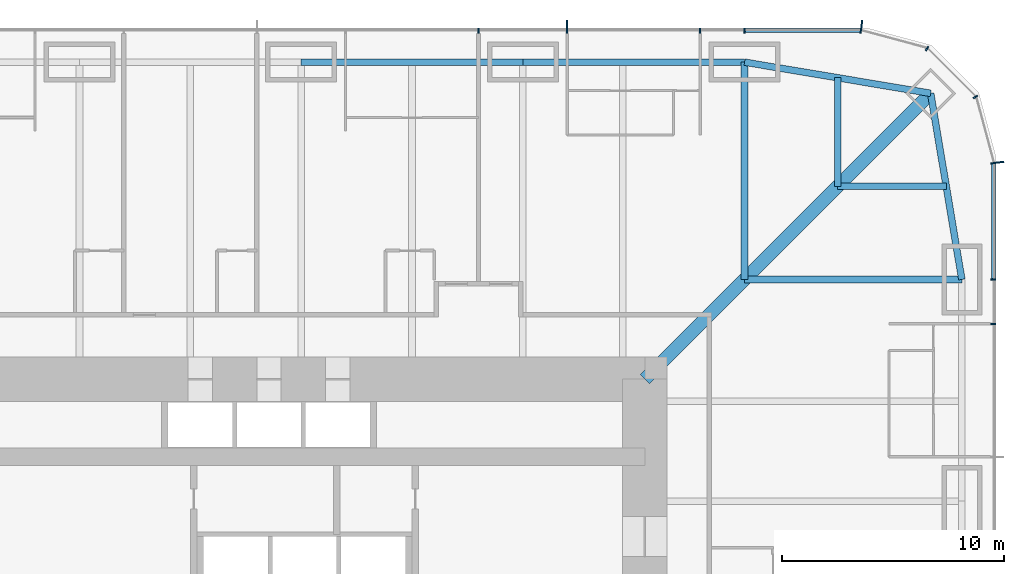
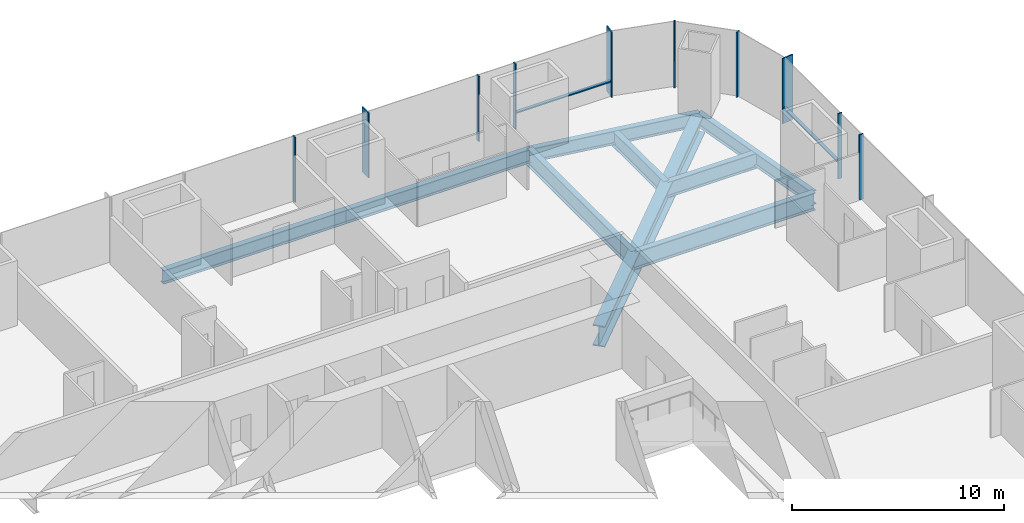
# One storey, part 9 of 16: 12 members, 9 beams, 3 elements without a shape of their own.
"""IFC4 building model written with IfcOpenShell, lengths in metres."""

from ifc_helpers import new_model, si_unit, direction, frame, origin, origin_2d, place, context, subcontext, project, spatial, rectangle, i_section, extrude, material, material_profile, profile_set, type_object, element, aggregate, save


model = new_model("IFC4")

# Units and contexts
model_context = context("Model", 3, precision=1e-05, world=origin(), true_north=direction((0.0, 1.0)))
body_context = subcontext(model_context, "Body", "Model", "MODEL_VIEW")
ifc_project = project(units=[si_unit("LENGTHUNIT", "METRE"), si_unit("AREAUNIT", "SQUARE_METRE"), si_unit("VOLUMEUNIT", "CUBIC_METRE"), si_unit("PLANEANGLEUNIT", "RADIAN"), si_unit("MASSUNIT", "GRAM", prefix="KILO")], contexts=[model_context])

# Site, building, storey
site_placement = place(None, origin())
site = spatial("IfcSite", under=ifc_project, at=site_placement, CompositionType="ELEMENT")
building_placement = place(site_placement, origin())
building = spatial("IfcBuilding", under=site, at=building_placement, Name="Khuree Lantern Residences", CompositionType="ELEMENT")
storey_placement = place(building_placement, frame((0.0, 0.0, 66.0)))
storey = spatial("IfcBuildingStorey", under=building, at=storey_placement, Name="L16", CompositionType="ELEMENT", Elevation=66.0)

# Beams
ifc_material_1 = material(Name="Steel S355", Category="steel")
ifc_material_profile_1 = material_profile(ifc_material_1, i_section(OverallWidth=0.300048828125, OverallDepth=0.889892578125, WebThickness=0.01611328125, FlangeThickness=0.030029296875, FilletRadius=0.030029296875, at=origin_2d()), Name="HE 900 A")
ifc_profile_set_1 = profile_set([ifc_material_profile_1], Name="Steel S355")
beam_type_1 = type_object("IfcBeamType", Name="B-14 SECONDARY BEAM HE 900 A", PredefinedType="BEAM", material=ifc_profile_set_1)
for number, where, z_axis, x_axis, name in (
    (1, (24.197021484375, 29.09716796875, -0.695068359375), (0.0, -1.0, 0.0), (1.0, 0.0, 0.0), "Secondary beam N5"),
    (2, (29.09716796875, 24.197021484375, -0.695068359375), (-1.0, 0.0, 0.0), (0.0, -1.0, 0.0), "Secondary beam E1"),
):
    element("IfcBeam", number, at=place(storey_placement, frame(where, z_axis=z_axis, x_axis=x_axis)), inside=storey, type_object=beam_type_1, Name=name, PredefinedType="BEAM", context=body_context, shape_type="SweptSolid", body=[
        extrude(i_section(OverallWidth=0.300048828125, OverallDepth=0.889892578125, WebThickness=0.01611328125, FlangeThickness=0.030029296875, FilletRadius=0.030029296875, at=origin_2d()), origin(), (0.0, 0.0, 1.0), 4.900146484375),
    ])
ifc_material_profile_2 = material_profile(ifc_material_1, i_section(OverallWidth=0.300048828125, OverallDepth=0.7900390625, WebThickness=0.014892578125, FlangeThickness=0.028076171875, FilletRadius=0.030029296875, at=origin_2d()), Name="HE 800 A")
ifc_profile_set_2 = profile_set([ifc_material_profile_2], Name="Steel S355")
beam_type_2 = type_object("IfcBeamType", Name="E-14 SPANDREL BEAM HE 800 A", PredefinedType="SPANDREL", material=ifc_profile_set_2)
for number, where, z_axis, x_axis, name in (
    (3, (0.0, 29.800048828125, -0.64501953125), (1.0, 0.0, 0.0), (0.0, 1.0, 0.0), "Spandrel beam N3"),
    (4, (10.0, 29.800048828125, -0.64501953125), (1.0, 0.0, 0.0), (0.0, 1.0, 0.0), "Spandrel beam N4"),
):
    element("IfcBeam", number, at=place(storey_placement, frame(where, z_axis=z_axis, x_axis=x_axis)), inside=storey, type_object=beam_type_2, Name=name, PredefinedType="SPANDREL", context=body_context, shape_type="SweptSolid", body=[
        extrude(i_section(OverallWidth=0.300048828125, OverallDepth=0.7900390625, WebThickness=0.014892578125, FlangeThickness=0.028076171875, FilletRadius=0.030029296875, at=origin_2d()), origin(), (0.0, 0.0, 1.0), 10.0),
    ])
for number, where, z_axis, x_axis, name in (
    (5, (20.0, 29.800048828125, -0.64501953125), (0.986260251158, -0.165199022349, 0.0), (0.165199022349, 0.986260251158, 0.0), "Spandrel beam N5"),
    (6, (28.39404296875, 28.39404296875, -0.64501953125), (0.165199022349, -0.986260251158, 0.0), (0.986260251158, 0.165199022349, 0.0), "Spandrel beam E1"),
):
    element("IfcBeam", number, at=place(storey_placement, frame(where, z_axis=z_axis, x_axis=x_axis)), inside=storey, type_object=beam_type_2, Name=name, PredefinedType="SPANDREL", context=body_context, shape_type="SweptSolid", body=[
        extrude(i_section(OverallWidth=0.300048828125, OverallDepth=0.7900390625, WebThickness=0.014892578125, FlangeThickness=0.028076171875, FilletRadius=0.030029296875, at=origin_2d()), origin(), (0.0, 0.0, 1.0), 8.510986328125),
    ])

# Curtain wall, member
ifc_material_2 = material(Name="Bronze anodised aluminium", Category="aluminium")
curtain_wall_type_1 = type_object("IfcCurtainWallType", Name="CW-T2 TOWER CORNER CURTAIN WALL", PredefinedType="USERDEFINED", material=ifc_material_2)
curtain_wall_1_placement = place(storey_placement, origin())
curtain_wall_1 = element("IfcCurtainWall", 7, at=curtain_wall_1_placement, inside=storey, type_object=curtain_wall_type_1, Name="L16 NORTH-EAST CORNER CURTAIN WALL", ObjectType="Faceted corner curtain wall", PredefinedType="USERDEFINED")
ifc_material_profile_3 = material_profile(ifc_material_2, rectangle(XDim=0.06494140625, YDim=0.60009765625, at=origin_2d()), Name="F1 65X600")
ifc_profile_set_3 = profile_set([ifc_material_profile_3], Name="Bronze anodised aluminium")
member_type_1 = type_object("IfcMemberType", Name="F1 BRONZE FIN MULLION TOWER 65X600", PredefinedType="MULLION", material=ifc_profile_set_3)
member_1_placement = place(storey_placement, frame((31.400146484375, 25.269775390625, 0.0), z_axis=(0.0, 0.0, 1.0), x_axis=(-0.130526257387, 0.991444852794, 0.0)))
member_1 = element("IfcMember", 8, at=member_1_placement, type_object=member_type_1, Name="L16 NORTH-EAST CORNER FIN MULLION 15", PredefinedType="MULLION", context=body_context, shape_type="SweptSolid", body=[
    extrude(rectangle(XDim=0.06494140625, YDim=0.60009765625, at=origin_2d()), origin(), (0.0, 0.0, 1.0), 3.75),
])

# Curtain wall, members
curtain_wall_type_2 = type_object("IfcCurtainWallType", Name="CW-T1 TOWER FACE CURTAIN WALL", PredefinedType="USERDEFINED", material=ifc_material_2)
curtain_wall_2_placement = place(storey_placement, origin())
curtain_wall_2 = element("IfcCurtainWall", 9, at=curtain_wall_2_placement, inside=storey, type_object=curtain_wall_type_2, Name="L16 NORTH FACE CURTAIN WALL", ObjectType="Stick-built curtain wall", PredefinedType="USERDEFINED")
member_2_placement = place(storey_placement, frame((25.269775390625, 31.400146484375, 0.0), z_axis=(0.0, 0.0, 1.0), x_axis=(-0.991444852794, 0.130526257387, 0.0)))
member_2 = element("IfcMember", 10, at=member_2_placement, type_object=member_type_1, Name="L16 NORTH FACE FIN MULLION 18", PredefinedType="MULLION", context=body_context, shape_type="SweptSolid", body=[
    extrude(rectangle(XDim=0.06494140625, YDim=0.60009765625, at=origin_2d()), origin(), (0.0, 0.0, 1.0), 3.75),
])
member_3_placement = place(storey_placement, frame((12.0, 31.39990234375, 0.0), z_axis=(0.0, 0.0, 1.0), x_axis=(-1.0, 0.0, 0.0)))
member_3 = element("IfcMember", 11, at=member_3_placement, type_object=member_type_1, Name="L16 NORTH FACE FIN MULLION 21", PredefinedType="MULLION", context=body_context, shape_type="SweptSolid", body=[
    extrude(rectangle(XDim=0.06494140625, YDim=0.60009765625, at=origin_2d()), origin(), (0.0, 0.0, 1.0), 3.75),
])

# Beams
ifc_material_profile_4 = material_profile(ifc_material_1, i_section(OverallWidth=0.302001953125, OverallDepth=1.008056640625, WebThickness=0.02099609375, FlangeThickness=0.0400390625, FilletRadius=0.030029296875, at=origin_2d()), Name="HE 1000 M")
ifc_profile_set_4 = profile_set([ifc_material_profile_4], Name="Steel S355")
beam_type_3 = type_object("IfcBeamType", Name="G-14 GIRDER HE 1000 M", PredefinedType="BEAM", material=ifc_profile_set_4)
for number, where, z_axis, x_axis, name in (
    (12, (20.0, 29.800048828125, -0.75390625), (0.0, -1.0, 0.0), (1.0, 0.0, 0.0), "Girder N5"),
    (13, (29.800048828125, 20.0, -0.75390625), (-1.0, 0.0, 0.0), (0.0, -1.0, 0.0), "Girder E1"),
):
    element("IfcBeam", number, at=place(storey_placement, frame(where, z_axis=z_axis, x_axis=x_axis)), inside=storey, type_object=beam_type_3, Name=name, PredefinedType="BEAM", context=body_context, shape_type="SweptSolid", body=[
        extrude(i_section(OverallWidth=0.302001953125, OverallDepth=1.008056640625, WebThickness=0.02099609375, FlangeThickness=0.0400390625, FilletRadius=0.030029296875, at=origin_2d()), origin(), (0.0, 0.0, 1.0), 9.800048828125),
    ])
ifc_material_profile_5 = material_profile(ifc_material_1, i_section(OverallWidth=0.60009765625, OverallDepth=1.199951171875, WebThickness=0.030029296875, FlangeThickness=0.06005859375, at=origin_2d()), Name="WELDED I 1200X600X30X60")
ifc_profile_set_5 = profile_set([ifc_material_profile_5], Name="Steel S355")
beam_type_4 = type_object("IfcBeamType", Name="GD-14 CORNER GIRDER WELDED I 1200X600X30X60", PredefinedType="BEAM", material=ifc_profile_set_5)
beam_placement = place(storey_placement, frame((28.39404296875, 28.39404296875, -0.85009765625), z_axis=(-0.707106781187, -0.707106781187, 0.0), x_axis=(0.707106781187, -0.707106781187, 0.0)))
element("IfcBeam", 14, at=beam_placement, inside=storey, type_object=beam_type_4, Name="Corner girder NE", PredefinedType="BEAM", context=body_context, shape_type="SweptSolid", body=[
    extrude(i_section(OverallWidth=0.60009765625, OverallDepth=1.199951171875, WebThickness=0.030029296875, FlangeThickness=0.06005859375, at=origin_2d()), origin(), (0.0, 0.0, 1.0), 18.23486328125),
])

# Curtain wall, members
curtain_wall_3_placement = place(storey_placement, origin())
curtain_wall_3 = element("IfcCurtainWall", 15, at=curtain_wall_3_placement, inside=storey, type_object=curtain_wall_type_2, Name="L16 EAST FACE CURTAIN WALL", ObjectType="Stick-built curtain wall", PredefinedType="USERDEFINED")
ifc_material_profile_6 = material_profile(ifc_material_2, rectangle(XDim=0.06494140625, YDim=0.219970703125, at=origin_2d()), Name="M1 65X220")
ifc_profile_set_6 = profile_set([ifc_material_profile_6], Name="Bronze anodised aluminium")
member_type_2 = type_object("IfcMemberType", Name="M1 BRONZE MULLION TOWER 65X220", PredefinedType="MULLION", material=ifc_profile_set_6)
member_4_placement = place(storey_placement, frame((31.2099609375, 18.0, 0.0), z_axis=(0.0, 0.0, 1.0), x_axis=(0.0, 1.0, 0.0)))
member_4 = element("IfcMember", 16, at=member_4_placement, type_object=member_type_2, Name="L16 EAST FACE MULLION 13", PredefinedType="MULLION", context=body_context, shape_type="SweptSolid", body=[
    extrude(rectangle(XDim=0.06494140625, YDim=0.219970703125, at=origin_2d()), origin(), (0.0, 0.0, 1.0), 3.75),
])
member_5_placement = place(storey_placement, frame((31.2099609375, 20.0, 0.0), z_axis=(0.0, 0.0, 1.0), x_axis=(0.0, 1.0, 0.0)))
member_5 = element("IfcMember", 17, at=member_5_placement, type_object=member_type_2, Name="L16 EAST FACE MULLION 14", PredefinedType="MULLION", context=body_context, shape_type="SweptSolid", body=[
    extrude(rectangle(XDim=0.06494140625, YDim=0.219970703125, at=origin_2d()), origin(), (0.0, 0.0, 1.0), 3.75),
])

# Member
member_6_placement = place(storey_placement, frame((30.41162109375, 28.22998046875, 0.0), z_axis=(0.0, 0.0, 1.0), x_axis=(-0.500000056923, 0.86602537092, 0.0)))
member_6 = element("IfcMember", 18, at=member_6_placement, type_object=member_type_2, Name="L16 NORTH-EAST CORNER MULLION 16", PredefinedType="MULLION", context=body_context, shape_type="SweptSolid", body=[
    extrude(rectangle(XDim=0.06494140625, YDim=0.219970703125, at=origin_2d()), origin(), (0.0, 0.0, 1.0), 3.75),
])

member_7_placement = place(storey_placement, frame((28.22998046875, 30.41162109375, 0.0), z_axis=(0.0, 0.0, 1.0), x_axis=(-0.86602537092, 0.500000056923, 0.0)))
member_7 = element("IfcMember", 19, at=member_7_placement, type_object=member_type_2, Name="L16 NORTH-EAST CORNER MULLION 17", PredefinedType="MULLION", context=body_context, shape_type="SweptSolid", body=[
    extrude(rectangle(XDim=0.06494140625, YDim=0.219970703125, at=origin_2d()), origin(), (0.0, 0.0, 1.0), 3.75),
])

aggregate(curtain_wall_1, [member_1, member_6, member_7])

member_8_placement = place(storey_placement, frame((20.0, 31.2099609375, 0.0), z_axis=(0.0, 0.0, 1.0), x_axis=(-1.0, 0.0, 0.0)))
member_8 = element("IfcMember", 20, at=member_8_placement, type_object=member_type_2, Name="L16 NORTH FACE MULLION 19", PredefinedType="MULLION", context=body_context, shape_type="SweptSolid", body=[
    extrude(rectangle(XDim=0.06494140625, YDim=0.219970703125, at=origin_2d()), origin(), (0.0, 0.0, 1.0), 3.75),
])

member_9_placement = place(storey_placement, frame((18.0, 31.2099609375, 0.0), z_axis=(0.0, 0.0, 1.0), x_axis=(-1.0, 0.0, 0.0)))
member_9 = element("IfcMember", 21, at=member_9_placement, type_object=member_type_2, Name="L16 NORTH FACE MULLION 20", PredefinedType="MULLION", context=body_context, shape_type="SweptSolid", body=[
    extrude(rectangle(XDim=0.06494140625, YDim=0.219970703125, at=origin_2d()), origin(), (0.0, 0.0, 1.0), 3.75),
])

member_10_placement = place(storey_placement, frame((8.0, 31.2099609375, 0.0), z_axis=(0.0, 0.0, 1.0), x_axis=(-1.0, 0.0, 0.0)))
member_10 = element("IfcMember", 22, at=member_10_placement, type_object=member_type_2, Name="L16 NORTH FACE MULLION 22", PredefinedType="MULLION", context=body_context, shape_type="SweptSolid", body=[
    extrude(rectangle(XDim=0.06494140625, YDim=0.219970703125, at=origin_2d()), origin(), (0.0, 0.0, 1.0), 3.75),
])

ifc_material_profile_7 = material_profile(ifc_material_2, rectangle(XDim=0.179931640625, YDim=0.06494140625, at=origin_2d()), Name="T1 180X65")
ifc_profile_set_7 = profile_set([ifc_material_profile_7], Name="Bronze anodised aluminium")
member_type_3 = type_object("IfcMemberType", Name="TRANSOM T1 TOWER 180X65", PredefinedType="USERDEFINED", material=ifc_profile_set_7)
member_11_placement = place(storey_placement, frame((31.219970703125, 20.032470703125, 0.89990234375), z_axis=(0.0, 1.0, 0.0), x_axis=(-1.0, 0.0, 0.0)))
member_11 = element("IfcMember", 23, at=member_11_placement, type_object=member_type_3, Name="L16 EAST FACE TRANSOM 14.1", ObjectType="Transom", PredefinedType="USERDEFINED", context=body_context, shape_type="SweptSolid", body=[
    extrude(rectangle(XDim=0.179931640625, YDim=0.06494140625, at=origin_2d()), origin(), (0.0, 0.0, 1.0), 5.1689453125),
])

aggregate(curtain_wall_3, [member_4, member_5, member_11])

member_12_placement = place(storey_placement, frame((25.201416015625, 31.219970703125, 0.89990234375), z_axis=(-1.0, 0.0, 0.0), x_axis=(0.0, -1.0, 0.0)))
member_12 = element("IfcMember", 24, at=member_12_placement, type_object=member_type_3, Name="L16 NORTH FACE TRANSOM 18.1", ObjectType="Transom", PredefinedType="USERDEFINED", context=body_context, shape_type="SweptSolid", body=[
    extrude(rectangle(XDim=0.179931640625, YDim=0.06494140625, at=origin_2d()), origin(), (0.0, 0.0, 1.0), 5.1689453125),
])

aggregate(curtain_wall_2, [member_2, member_8, member_9, member_3, member_10, member_12])

save(model, "model.ifc")
